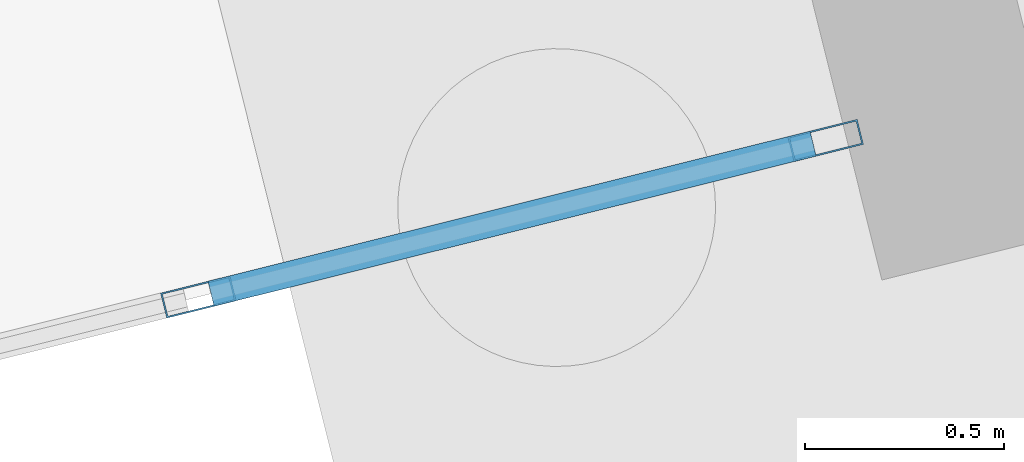
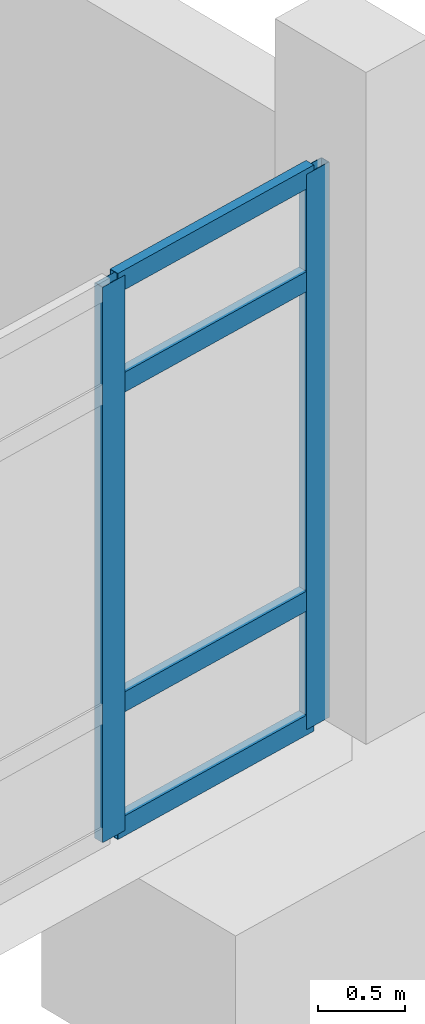
# One storey, part 97 of 173: 6 members, 1 element without a shape of its own.
"""IFC4 building model written with IfcOpenShell, lengths in metres."""

import ifcopenshell
import ifcopenshell.guid

model = None  # the IFC model being written
_history = None  # IfcOwnerHistory: only IFC2X3 demands one
_inside = {}  # id of a spatial element -> (the spatial element, [elements in it])
_under = {}  # id of a project, library or spatial element -> (it, [spatial elements below it])
_declared = {}  # id of a project -> (the project, [libraries it declares])
_typed = {}  # id of a type object -> (the type object, [elements of that type])
_made_of = {}  # id of a material, layer set ... -> (it, [elements and type objects made of it])


def new_model(schema):
    """Start an empty IFC model of exactly this schema.

    Asked for "IFC4X3", IfcOpenShell would pick the latest addendum, in which some entities
    have other attributes; the version numbers below select the first issue.
    IFC2X3 requires an IfcOwnerHistory on every rooted entity: one is made here for all.
    """
    global model, _history
    if schema == "IFC4X3":
        model = ifcopenshell.file(schema_version=(4, 3, 0, 0))
    else:
        model = ifcopenshell.file(schema=schema)
    _inside.clear()
    _under.clear()
    _declared.clear()
    _typed.clear()
    _made_of.clear()
    _history = None
    if model.schema == "IFC2X3":
        org = make("IfcOrganization", Name="unknown")
        user = make(
            "IfcPersonAndOrganization",
            ThePerson=make("IfcPerson", FamilyName="unknown"),
            TheOrganization=org,
        )
        app = make(
            "IfcApplication",
            ApplicationDeveloper=org,
            Version="unknown",
            ApplicationFullName="unknown",
            ApplicationIdentifier="unknown",
        )
        _history = make(
            "IfcOwnerHistory",
            OwningUser=user,
            OwningApplication=app,
            ChangeAction="ADDED",
            CreationDate=0,
        )
    return model


def make(cls, **values):
    """One entity of the class cls with the attributes given. An attribute that is None is left unset."""
    return model.create_entity(
        cls, **{name: value for name, value in values.items() if value is not None}
    )


def rooted(cls, **values):
    """An entity with a GlobalId (a new one), such as an element, a storey or a relation."""
    return make(cls, GlobalId=ifcopenshell.guid.new(), OwnerHistory=_history, **values)


def si_unit(unit_type, name, prefix=None):
    """IfcSIUnit, for example si_unit("LENGTHUNIT", "METRE", prefix="MILLI")."""
    return make("IfcSIUnit", UnitType=unit_type, Prefix=prefix, Name=name)


def assignment(units):
    """IfcUnitAssignment: the units of a project."""
    return None if units is None else make("IfcUnitAssignment", Units=units)


def point(xyz):
    """IfcCartesianPoint."""
    return None if xyz is None else make("IfcCartesianPoint", Coordinates=xyz)


def direction(xyz):
    """IfcDirection."""
    return None if xyz is None else make("IfcDirection", DirectionRatios=xyz)


def frame(location, z_axis=None, x_axis=None):
    """IfcAxis2Placement3D, a coordinate frame: its origin and axes. An axis left out is left unset."""
    return make(
        "IfcAxis2Placement3D",
        Location=point(location),
        Axis=direction(z_axis),
        RefDirection=direction(x_axis),
    )


def frame_2d(location, x_axis=None):
    """IfcAxis2Placement2D, a coordinate frame in the plane: its origin and x axis."""
    return make(
        "IfcAxis2Placement2D", Location=point(location), RefDirection=direction(x_axis)
    )


def origin():
    """The frame at (0, 0, 0) with its axes left unset."""
    return frame((0.0, 0.0, 0.0))


def origin_2d():
    """The frame at (0, 0) in the plane with its x axis left unset."""
    return frame_2d((0.0, 0.0))


def place(relative_to, where):
    """IfcLocalPlacement: puts the frame where relative to a parent placement (None: the world)."""
    return make(
        "IfcLocalPlacement", PlacementRelTo=relative_to, RelativePlacement=where
    )


def context(
    kind, dimensions, precision=None, world=None, true_north=None, identifier=None
):
    """IfcGeometricRepresentationContext, for example the 3D "Model" context."""
    return make(
        "IfcGeometricRepresentationContext",
        ContextIdentifier=identifier,
        ContextType=kind,
        CoordinateSpaceDimension=dimensions,
        Precision=precision,
        WorldCoordinateSystem=world,
        TrueNorth=true_north,
    )


def subcontext(parent, identifier, kind, view, scale=None):
    """IfcGeometricRepresentationSubContext, for example "Body" below "Model"."""
    return make(
        "IfcGeometricRepresentationSubContext",
        ContextIdentifier=identifier,
        ContextType=kind,
        ParentContext=parent,
        TargetScale=scale,
        TargetView=view,
    )


def project(units=None, contexts=None):
    """IfcProject with its units and contexts."""
    return rooted(
        "IfcProject",
        Name="project",
        RepresentationContexts=contexts,
        UnitsInContext=assignment(units),
    )


def spatial(cls, under=None, at=None, **own):
    """A site, building, storey or space (cls), placed at a placement, below another one or the project."""
    s = rooted(cls, ObjectPlacement=at, **own)
    if under is not None:
        _under.setdefault(under.id(), (under, []))[1].append(s)
    return s


def profile(cls, at=None, kind="AREA", **sizes):
    """A parametric profile (cls). Its sizes go by their IFC names, for example OverallWidth=200.0."""
    return make(cls, ProfileType=kind, Position=at, **sizes)


def hollow_rectangle(**sizes):
    """IfcRectangleHollowProfileDef."""
    return profile("IfcRectangleHollowProfileDef", **sizes)


def extrude(swept, where, along, depth):
    """IfcExtrudedAreaSolid: the profile swept, set in the frame where, extruded along a direction by depth."""
    return make(
        "IfcExtrudedAreaSolid",
        SweptArea=swept,
        Position=where,
        ExtrudedDirection=direction(along),
        Depth=depth,
    )


def shape(context_of_items, identifier, shape_type, items):
    """IfcShapeRepresentation: the items that make up one representation, for example the "Body"."""
    return make(
        "IfcShapeRepresentation",
        ContextOfItems=context_of_items,
        RepresentationIdentifier=identifier,
        RepresentationType=shape_type,
        Items=items,
    )


def material(Name=None, Category=None):
    """IfcMaterial."""
    return make("IfcMaterial", Name=Name, Category=Category)


def layer(
    of_material, thickness, ventilated=None, Name=None, Category=None, Priority=None
):
    """IfcMaterialLayer: one layer of a wall or slab, of a material (None: an air gap)."""
    return make(
        "IfcMaterialLayer",
        Material=of_material,
        LayerThickness=thickness,
        IsVentilated=ventilated,
        Name=Name,
        Category=Category,
        Priority=Priority,
    )


def layer_set(layers, Name=None):
    """IfcMaterialLayerSet."""
    return make("IfcMaterialLayerSet", MaterialLayers=layers, LayerSetName=Name)


def material_profile(
    of_material, cross_section, Name=None, Category=None, Priority=None
):
    """IfcMaterialProfile: a cross section and its material."""
    return make(
        "IfcMaterialProfile",
        Name=Name,
        Material=of_material,
        Profile=cross_section,
        Priority=Priority,
        Category=Category,
    )


def profile_set(profiles, Name=None, composite=None):
    """IfcMaterialProfileSet."""
    return make(
        "IfcMaterialProfileSet",
        Name=Name,
        MaterialProfiles=profiles,
        CompositeProfile=composite,
    )


def made_of(thing, what):
    """Note that an element or type object is made of a material, layer set ...; save() writes the relation."""
    if what is not None:
        _made_of.setdefault(what.id(), (what, []))[1].append(thing)
    return thing


def type_object(cls, material=None, **own):
    """A type object (cls), such as IfcWallType, which elements share."""
    return made_of(rooted(cls, **own), material)


def element(
    cls,
    number,
    at=None,
    inside=None,
    cuts=None,
    type_object=None,
    material=None,
    context=None,
    identifier="Body",
    shape_type=None,
    held_by="IfcProductDefinitionShape",
    body=None,
    shapes=None,
    **own,
):
    """One element of the class cls, such as IfcWall. Its Tag is "e" and its number.

    at: its placement. inside: the storey or other place that contains it. cuts: it is an
    opening in that element (IfcRelVoidsElement). A single representation is given by context,
    identifier, shape_type and body (its items); several are given by shapes. held_by: the class
    of the entity that holds the representations. save() writes the other relations.
    """
    e = rooted(cls, Tag="e%d" % number, ObjectPlacement=at, **own)
    if body is not None:
        shapes = [shape(context, identifier, shape_type, body)]
    if shapes is not None:
        e.Representation = make(held_by, Representations=shapes)
    if inside is not None:
        _inside.setdefault(inside.id(), (inside, []))[1].append(e)
    if cuts is not None:
        rooted(
            "IfcRelVoidsElement", RelatingBuildingElement=cuts, RelatedOpeningElement=e
        )
    if type_object is not None:
        _typed.setdefault(type_object.id(), (type_object, []))[1].append(e)
    return made_of(e, material)


def aggregate(whole, parts):
    """IfcRelAggregates: a whole, such as a stair, and the parts it consists of."""
    return rooted("IfcRelAggregates", RelatingObject=whole, RelatedObjects=parts)


def save(model, path):
    """Write the relations noted so far, then the file.

    IfcRelAggregates (storeys below a building ...), IfcRelContainedInSpatialStructure (elements
    in a storey), IfcRelDefinesByType, IfcRelAssociatesMaterial and IfcRelDeclares: one each for
    every whole, place, type object, material and project.
    """
    for whole, parts in _under.values():
        aggregate(whole, parts)
    for where, things in _inside.values():
        rooted(
            "IfcRelContainedInSpatialStructure",
            RelatedElements=things,
            RelatingStructure=where,
        )
    for kind, things in _typed.values():
        rooted("IfcRelDefinesByType", RelatedObjects=things, RelatingType=kind)
    for what, things in _made_of.values():
        rooted("IfcRelAssociatesMaterial", RelatedObjects=things, RelatingMaterial=what)
    for by, libraries in _declared.values():
        rooted("IfcRelDeclares", RelatingContext=by, RelatedDefinitions=libraries)
    model.write(path)


model = new_model("IFC4")

# Units and contexts
model_context = context("Model", 3, precision=1e-05, world=origin(), true_north=direction((0.0, 1.0)))
body_context = subcontext(model_context, "Body", "Model", "MODEL_VIEW")
ifc_project = project(units=[si_unit("LENGTHUNIT", "METRE"), si_unit("AREAUNIT", "SQUARE_METRE"), si_unit("VOLUMEUNIT", "CUBIC_METRE"), si_unit("PLANEANGLEUNIT", "RADIAN"), si_unit("MASSUNIT", "GRAM", prefix="KILO")], contexts=[model_context])

# Site, building, storey
site_placement = place(None, origin())
site = spatial("IfcSite", under=ifc_project, at=site_placement, CompositionType="ELEMENT")
building_placement = place(site_placement, origin())
building = spatial("IfcBuilding", under=site, at=building_placement, Name="Mawjan Specialist Oncology Clinic", CompositionType="ELEMENT")
storey_placement = place(building_placement, origin())
storey = spatial("IfcBuildingStorey", under=building, at=storey_placement, Name="L00", CompositionType="ELEMENT", Elevation=0.0)

# Curtain wall, members
ifc_material_1 = material(Name="Unitised spectrally selective aluminium curtain wall", Category="aluminium")
ifc_layer = layer(ifc_material_1, 0.179931640625, Name="Unitised spectrally selective aluminium curtain wall", Category="aluminium")
ifc_layer_set = layer_set([ifc_layer], Name="Unitised spectrally selective aluminium curtain wall")
curtain_wall_type = type_object("IfcCurtainWallType", Name="CW-35", PredefinedType="NOTDEFINED", material=ifc_layer_set)
curtain_wall_placement = place(storey_placement, origin())
curtain_wall = element("IfcCurtainWall", 1, at=curtain_wall_placement, inside=storey, type_object=curtain_wall_type, Name="L00 Unitised Curtain Wall CW-L00-076", PredefinedType="NOTDEFINED")
ifc_material_2 = material(Name="Thermally broken aluminium 6063-T6", Category="aluminium")
ifc_material_profile_1 = material_profile(ifc_material_2, hollow_rectangle(XDim=0.06494140625, YDim=0.179931640625, WallThickness=0.00390625, at=origin_2d()), Name="ALU MULLION 180x65x4", Category="aluminium")
ifc_profile_set_1 = profile_set([ifc_material_profile_1], Name="Thermally broken aluminium 6063-T6")
member_type_1 = type_object("IfcMemberType", Name="CW-M180", PredefinedType="MULLION", material=ifc_profile_set_1)
member_1_placement = place(storey_placement, frame((160.63720703125, 9.43603515625, 0.0), z_axis=(0.0, 0.0, 1.0), x_axis=(0.241922074178, -0.970295681751, 0.0)))
member_1 = element("IfcMember", 2, at=member_1_placement, type_object=member_type_1, Name="CW-35 mullion 1", PredefinedType="MULLION", context=body_context, shape_type="SweptSolid", body=[
    extrude(hollow_rectangle(XDim=0.06494140625, YDim=0.179931640625, WallThickness=0.00390625, at=origin_2d()), origin(), (0.0, 0.0, 1.0), 3.885009765625),
])
member_2_placement = place(storey_placement, frame((159.05908203125, 9.04248046875, 0.0), z_axis=(0.0, 0.0, 1.0), x_axis=(0.241922074178, -0.970295681751, 0.0)))
member_2 = element("IfcMember", 3, at=member_2_placement, type_object=member_type_1, Name="CW-35 mullion 2", PredefinedType="MULLION", context=body_context, shape_type="SweptSolid", body=[
    extrude(hollow_rectangle(XDim=0.06494140625, YDim=0.179931640625, WallThickness=0.00390625, at=origin_2d()), origin(), (0.0, 0.0, 1.0), 3.885009765625),
])
ifc_material_3 = material(Name="Thermally broken aluminium 6063-T6", Category="aluminium")
ifc_material_profile_2 = material_profile(ifc_material_3, hollow_rectangle(XDim=0.06494140625, YDim=0.139892578125, WallThickness=0.00390625, at=origin_2d()), Name="ALU TRANSOM 140x65x4", Category="aluminium")
ifc_profile_set_2 = profile_set([ifc_material_profile_2], Name="Thermally broken aluminium 6063-T6")
member_type_2 = type_object("IfcMemberType", Name="CW-T140", PredefinedType="USERDEFINED", material=ifc_profile_set_2)
member_3_placement = place(storey_placement, frame((160.605712890625, 9.42822265625, 0.032470703125), z_axis=(-0.970298672181, -0.241910079914, 0.0), x_axis=(0.241910079914, -0.970298672181, 0.0)))
member_3 = element("IfcMember", 4, at=member_3_placement, type_object=member_type_2, Name="CW-35 transom 1.1", ObjectType="TRANSOM", PredefinedType="USERDEFINED", context=body_context, shape_type="SweptSolid", body=[
    extrude(hollow_rectangle(XDim=0.06494140625, YDim=0.139892578125, WallThickness=0.00390625, at=origin_2d()), origin(), (0.0, 0.0, 1.0), 1.561279296875),
])
member_4_placement = place(storey_placement, frame((160.605712890625, 9.42822265625, 0.89990234375), z_axis=(-0.970298672181, -0.241910079914, 0.0), x_axis=(0.241910079914, -0.970298672181, 0.0)))
member_4 = element("IfcMember", 5, at=member_4_placement, type_object=member_type_2, Name="CW-35 transom 1.2", ObjectType="TRANSOM", PredefinedType="USERDEFINED", context=body_context, shape_type="SweptSolid", body=[
    extrude(hollow_rectangle(XDim=0.06494140625, YDim=0.139892578125, WallThickness=0.00390625, at=origin_2d()), origin(), (0.0, 0.0, 1.0), 1.561279296875),
])
member_5_placement = place(storey_placement, frame((160.605712890625, 9.42822265625, 3.135009765625), z_axis=(-0.970298672181, -0.241910079914, 0.0), x_axis=(0.241910079914, -0.970298672181, 0.0)))
member_5 = element("IfcMember", 6, at=member_5_placement, type_object=member_type_2, Name="CW-35 transom 1.3", ObjectType="TRANSOM", PredefinedType="USERDEFINED", context=body_context, shape_type="SweptSolid", body=[
    extrude(hollow_rectangle(XDim=0.06494140625, YDim=0.139892578125, WallThickness=0.00390625, at=origin_2d()), origin(), (0.0, 0.0, 1.0), 1.561279296875),
])
member_6_placement = place(storey_placement, frame((160.605712890625, 9.42822265625, 3.8525390625), z_axis=(-0.970298672181, -0.241910079914, 0.0), x_axis=(0.241910079914, -0.970298672181, 0.0)))
member_6 = element("IfcMember", 7, at=member_6_placement, type_object=member_type_2, Name="CW-35 transom 1.4", ObjectType="TRANSOM", PredefinedType="USERDEFINED", context=body_context, shape_type="SweptSolid", body=[
    extrude(hollow_rectangle(XDim=0.06494140625, YDim=0.139892578125, WallThickness=0.00390625, at=origin_2d()), origin(), (0.0, 0.0, 1.0), 1.561279296875),
])
aggregate(curtain_wall, [member_1, member_2, member_3, member_4, member_5, member_6])

save(model, "model.ifc")
